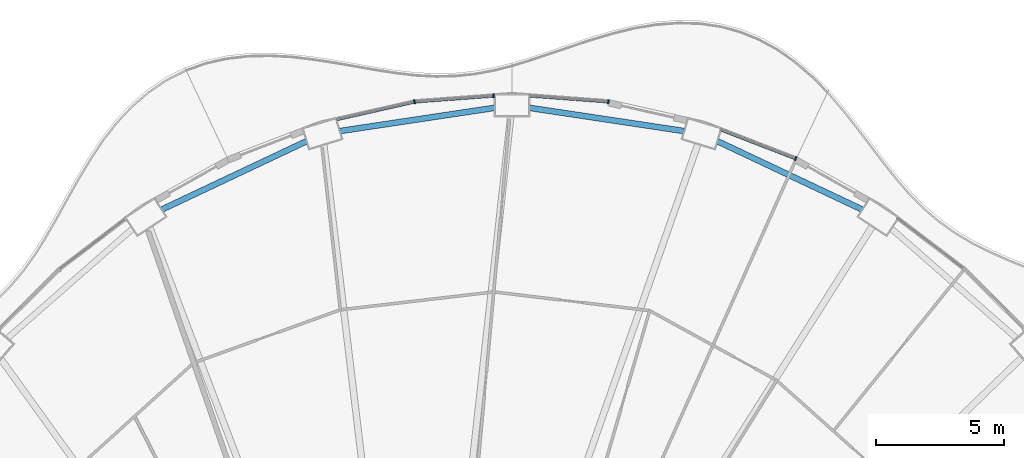
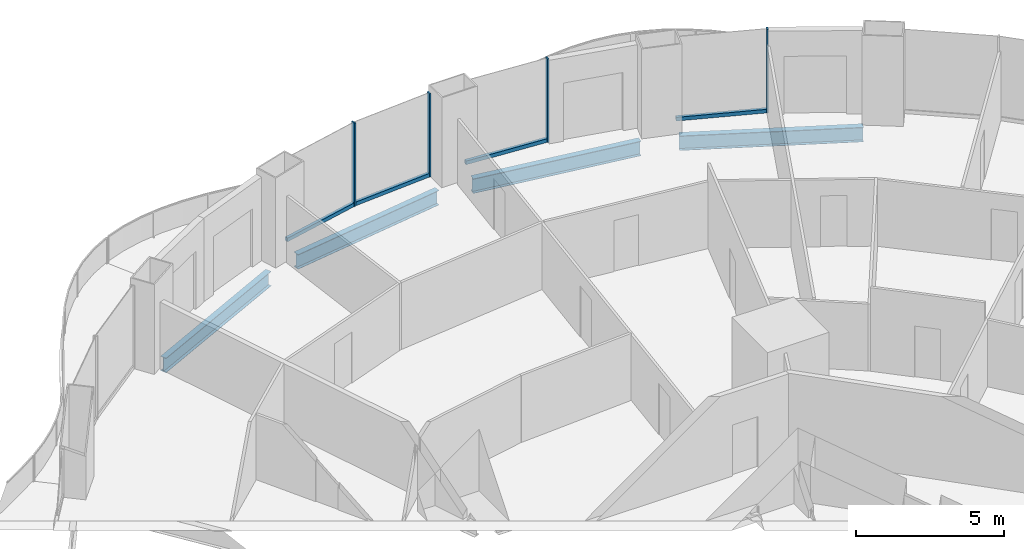
# One storey, part 11 of 22: 8 members, 4 beams, 4 elements without a shape of their own.
"""IFC4 building model written with IfcOpenShell, lengths in metres."""

from ifc_helpers import new_model, si_unit, direction, frame, origin, origin_2d, place, context, subcontext, project, spatial, rectangle, i_section, extrude, material, layer, layer_set, material_profile, profile_set, type_object, element, aggregate, save


model = new_model("IFC4")

# Units and contexts
model_context = context("Model", 3, precision=1e-05, world=origin(), true_north=direction((0.0, 1.0)))
body_context = subcontext(model_context, "Body", "Model", "MODEL_VIEW")
ifc_project = project(units=[si_unit("LENGTHUNIT", "METRE"), si_unit("AREAUNIT", "SQUARE_METRE"), si_unit("VOLUMEUNIT", "CUBIC_METRE"), si_unit("PLANEANGLEUNIT", "RADIAN"), si_unit("MASSUNIT", "GRAM", prefix="KILO")], contexts=[model_context])

# Site, building, storey
site_placement = place(None, origin())
site = spatial("IfcSite", under=ifc_project, at=site_placement, CompositionType="ELEMENT")
building_placement = place(site_placement, origin())
building = spatial("IfcBuilding", under=site, at=building_placement, Name="Nagisa Residences", CompositionType="ELEMENT")
storey_placement = place(building_placement, frame((0.0, 0.0, 52.89990234375)))
storey = spatial("IfcBuildingStorey", under=building, at=storey_placement, Name="L12", CompositionType="ELEMENT", Elevation=52.89990234375)

# Curtain wall, member
ifc_material_1 = material(Name="Concrete-coloured aluminium curtain wall system", Category="concrete")
ifc_layer = layer(ifc_material_1, 0.159912109375)
ifc_layer_set = layer_set([ifc_layer], Name="CW1 CURTAIN WALL")
curtain_wall_type = type_object("IfcCurtainWallType", Name="CW1 CURTAIN WALL", PredefinedType="NOTDEFINED", material=ifc_layer_set)
curtain_wall_1_placement = place(storey_placement, origin())
curtain_wall_1 = element("IfcCurtainWall", 1, at=curtain_wall_1_placement, inside=storey, type_object=curtain_wall_type, Name="cw:CW1:L12:09", PredefinedType="NOTDEFINED")
ifc_material_2 = material(Name="Concrete-coloured aluminium", Category="concrete")
ifc_material_profile_1 = material_profile(ifc_material_2, rectangle(XDim=0.159912109375, YDim=0.06005859375, at=origin_2d()), Name="CW1 MULLION 160x60")
ifc_profile_set_1 = profile_set([ifc_material_profile_1], Name="Concrete-coloured aluminium")
member_type_1 = type_object("IfcMemberType", Name="CW1 MULLION 160x60", PredefinedType="MULLION", material=ifc_profile_set_1)
member_1_placement = place(storey_placement, frame((14.64111328125, 30.42431640625, 0.0), z_axis=(0.0, 0.0, 1.0), x_axis=(-0.360327770268, -0.932825759707, 0.0)))
member_1 = element("IfcMember", 2, at=member_1_placement, type_object=member_type_1, Name="CW1 mullion", PredefinedType="MULLION", context=body_context, shape_type="SweptSolid", body=[
    extrude(rectangle(XDim=0.159912109375, YDim=0.06005859375, at=origin_2d()), origin(), (0.0, 0.0, 1.0), 3.440185546875),
])

curtain_wall_2_placement = place(storey_placement, origin())
curtain_wall_2 = element("IfcCurtainWall", 3, at=curtain_wall_2_placement, inside=storey, type_object=curtain_wall_type, Name="cw:CW1:L12:11", PredefinedType="NOTDEFINED")
member_2_placement = place(storey_placement, frame((7.349365234375, 32.64013671875, 0.0), z_axis=(0.0, 0.0, 1.0), x_axis=(-0.074377355493, -0.997230168512, 0.0)))
member_2 = element("IfcMember", 4, at=member_2_placement, type_object=member_type_1, Name="CW1 mullion", PredefinedType="MULLION", context=body_context, shape_type="SweptSolid", body=[
    extrude(rectangle(XDim=0.159912109375, YDim=0.06005859375, at=origin_2d()), origin(), (0.0, 0.0, 1.0), 3.440185546875),
])

curtain_wall_3_placement = place(storey_placement, origin())
curtain_wall_3 = element("IfcCurtainWall", 5, at=curtain_wall_3_placement, inside=storey, type_object=curtain_wall_type, Name="cw:CW1:L12:12", PredefinedType="NOTDEFINED")
member_3_placement = place(storey_placement, frame((2.8779296875, 32.865966796875, 0.0), z_axis=(0.0, 0.0, 1.0), x_axis=(0.074377355493, -0.997230168512, 0.0)))
member_3 = element("IfcMember", 6, at=member_3_placement, type_object=member_type_1, Name="CW1 mullion", PredefinedType="MULLION", context=body_context, shape_type="SweptSolid", body=[
    extrude(rectangle(XDim=0.159912109375, YDim=0.06005859375, at=origin_2d()), origin(), (0.0, 0.0, 1.0), 3.440185546875),
])

curtain_wall_4_placement = place(storey_placement, origin())
curtain_wall_4 = element("IfcCurtainWall", 7, at=curtain_wall_4_placement, inside=storey, type_object=curtain_wall_type, Name="cw:CW1:L12:13", PredefinedType="NOTDEFINED")
member_4_placement = place(storey_placement, frame((-0.19677734375, 32.633056640625, 0.0), z_axis=(0.0, 0.0, 1.0), x_axis=(0.2207639201, -0.975327274089, 0.0)))
member_4 = element("IfcMember", 8, at=member_4_placement, type_object=member_type_1, Name="CW1 mullion", PredefinedType="MULLION", context=body_context, shape_type="SweptSolid", body=[
    extrude(rectangle(XDim=0.159912109375, YDim=0.06005859375, at=origin_2d()), origin(), (0.0, 0.0, 1.0), 3.440185546875),
])

# Member
ifc_material_3 = material(Name="Concrete-coloured aluminium", Category="concrete")
ifc_material_profile_2 = material_profile(ifc_material_3, rectangle(XDim=0.1201171875, YDim=0.14990234375, at=origin_2d()), Name="CW1 TRANSOM 120x150")
ifc_profile_set_2 = profile_set([ifc_material_profile_2], Name="Concrete-coloured aluminium")
member_type_2 = type_object("IfcMemberType", Name="CW1 TRANSOM 120x150", PredefinedType="USERDEFINED", material=ifc_profile_set_2)
member_5_placement = place(storey_placement, frame((14.6689453125, 30.413330078125, 0.0751953125), z_axis=(-0.932825366452, 0.360328788337, 0.0), x_axis=(-0.360328788337, -0.932825366452, 0.0)))
member_5 = element("IfcMember", 9, at=member_5_placement, type_object=member_type_2, Name="CW1 transom", ObjectType="TRANSOM", PredefinedType="USERDEFINED", context=body_context, shape_type="SweptSolid", body=[
    extrude(rectangle(XDim=0.1201171875, YDim=0.14990234375, at=origin_2d()), origin(), (0.0, 0.0, 1.0), 3.150634765625),
])

aggregate(curtain_wall_1, [member_1, member_5])

member_6_placement = place(storey_placement, frame((7.37939453125, 32.637939453125, 0.0751953125), z_axis=(-0.997231270995, 0.07436257224, 0.0), x_axis=(-0.07436257224, -0.997231270995, 0.0)))
member_6 = element("IfcMember", 10, at=member_6_placement, type_object=member_type_2, Name="CW1 transom", ObjectType="TRANSOM", PredefinedType="USERDEFINED", context=body_context, shape_type="SweptSolid", body=[
    extrude(rectangle(XDim=0.1201171875, YDim=0.14990234375, at=origin_2d()), origin(), (0.0, 0.0, 1.0), 3.095947265625),
])

aggregate(curtain_wall_2, [member_2, member_6])

member_7_placement = place(storey_placement, frame((2.907958984375, 32.8681640625, 0.0751953125), z_axis=(-0.997230834878, -0.074368420505, 0.0), x_axis=(0.074368420505, -0.997230834878, 0.0)))
member_7 = element("IfcMember", 11, at=member_7_placement, type_object=member_type_2, Name="CW1 transom", ObjectType="TRANSOM", PredefinedType="USERDEFINED", context=body_context, shape_type="SweptSolid", body=[
    extrude(rectangle(XDim=0.1201171875, YDim=0.14990234375, at=origin_2d()), origin(), (0.0, 0.0, 1.0), 3.095703125),
])

aggregate(curtain_wall_3, [member_3, member_7])

member_8_placement = place(storey_placement, frame((-0.16748046875, 32.6396484375, 0.0751953125), z_axis=(-0.97533495413, -0.220729987208, 0.0), x_axis=(0.220729987208, -0.97533495413, 0.0)))
member_8 = element("IfcMember", 12, at=member_8_placement, type_object=member_type_2, Name="CW1 transom", ObjectType="TRANSOM", PredefinedType="USERDEFINED", context=body_context, shape_type="SweptSolid", body=[
    extrude(rectangle(XDim=0.1201171875, YDim=0.14990234375, at=origin_2d()), origin(), (0.0, 0.0, 1.0), 3.11474609375),
])

aggregate(curtain_wall_4, [member_4, member_8])

# Beams
ifc_material_4 = material(Name="Steel ASTM A572 Gr 50", Category="steel")
ifc_material_profile_3 = material_profile(ifc_material_4, i_section(OverallWidth=0.22802734375, OverallDepth=0.60302734375, WebThickness=0.010498046875, FlangeThickness=0.014892578125, at=origin_2d()), Name="W610x101")
ifc_profile_set_3 = profile_set([ifc_material_profile_3], Name="Steel ASTM A572 Gr 50")
beam_type = type_object("IfcBeamType", Name="Perimeter ring beam W610x101", PredefinedType="BEAM", material=ifc_profile_set_3)
beam_1_placement = place(storey_placement, frame((17.22900390625, 28.439208984375, -0.5615234375), z_axis=(-0.904215426643, 0.427076646774, 0.0), x_axis=(-0.427076646774, -0.904215426643, 0.0)))
element("IfcBeam", 13, at=beam_1_placement, inside=storey, type_object=beam_type, Name="beam:L12:pb05", PredefinedType="BEAM", context=body_context, shape_type="SweptSolid", body=[
    extrude(i_section(OverallWidth=0.22802734375, OverallDepth=0.60302734375, WebThickness=0.010498046875, FlangeThickness=0.014892578125, at=origin_2d()), origin(), (0.0, 0.0, 1.0), 6.2275390625),
])
for number, where, z_axis, x_axis, name in (
    (14, (10.29638671875, 31.49462890625, -0.5615234375), (-0.988914559467, 0.14848566959, 0.0), (-0.14848566959, -0.988914559467, 0.0), "beam:L12:pb06"),
    (15, (2.919677734375, 32.39794921875, -0.5615234375), (-0.988914559467, -0.14848566959, 0.0), (0.14848566959, -0.988914559467, 0.0), "beam:L12:pb07"),
):
    element("IfcBeam", number, at=place(storey_placement, frame(where, z_axis=z_axis, x_axis=x_axis)), inside=storey, type_object=beam_type, Name=name, PredefinedType="BEAM", context=body_context, shape_type="SweptSolid", body=[
        extrude(i_section(OverallWidth=0.22802734375, OverallDepth=0.60302734375, WebThickness=0.010498046875, FlangeThickness=0.014892578125, at=origin_2d()), origin(), (0.0, 0.0, 1.0), 6.08349609375),
    ])
beam_2_placement = place(storey_placement, frame((-4.39794921875, 31.098876953125, -0.5615234375), z_axis=(-0.904208275867, -0.427091786216, 0.0), x_axis=(0.427091786216, -0.904208275867, 0.0)))
element("IfcBeam", 16, at=beam_2_placement, inside=storey, type_object=beam_type, Name="beam:L12:pb08", PredefinedType="BEAM", context=body_context, shape_type="SweptSolid", body=[
    extrude(i_section(OverallWidth=0.22802734375, OverallDepth=0.60302734375, WebThickness=0.010498046875, FlangeThickness=0.014892578125, at=origin_2d()), origin(), (0.0, 0.0, 1.0), 6.227294921875),
])

save(model, "model.ifc")
